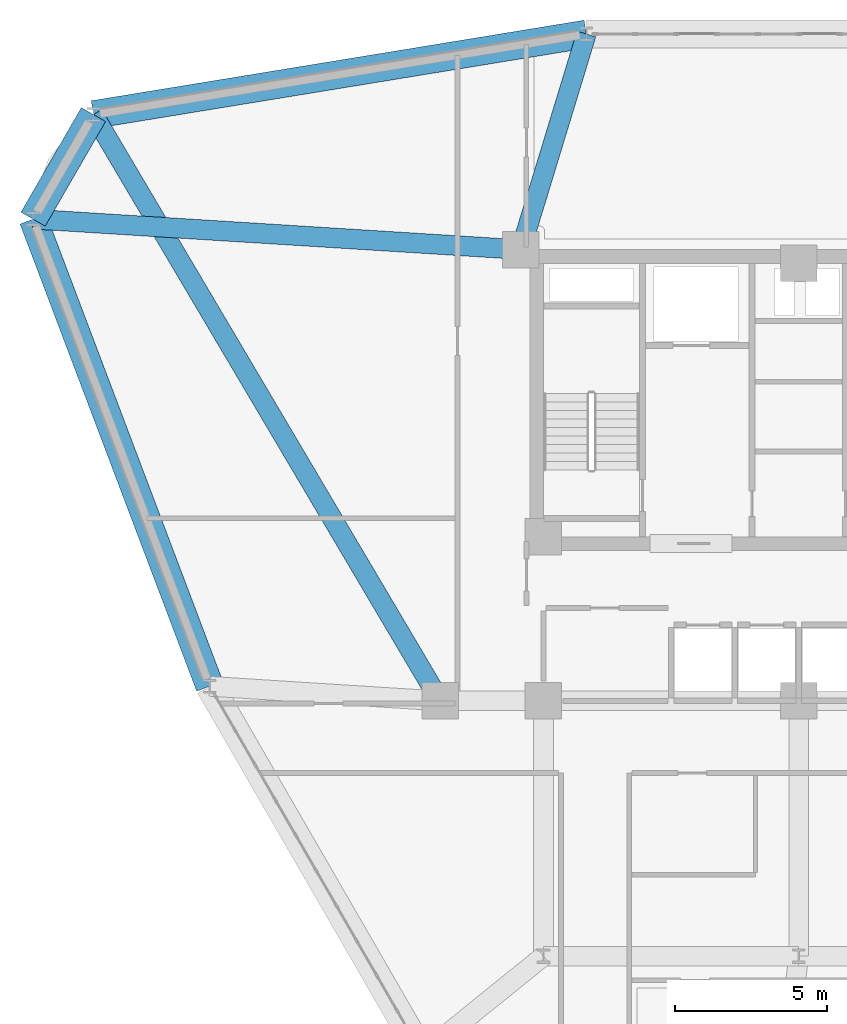
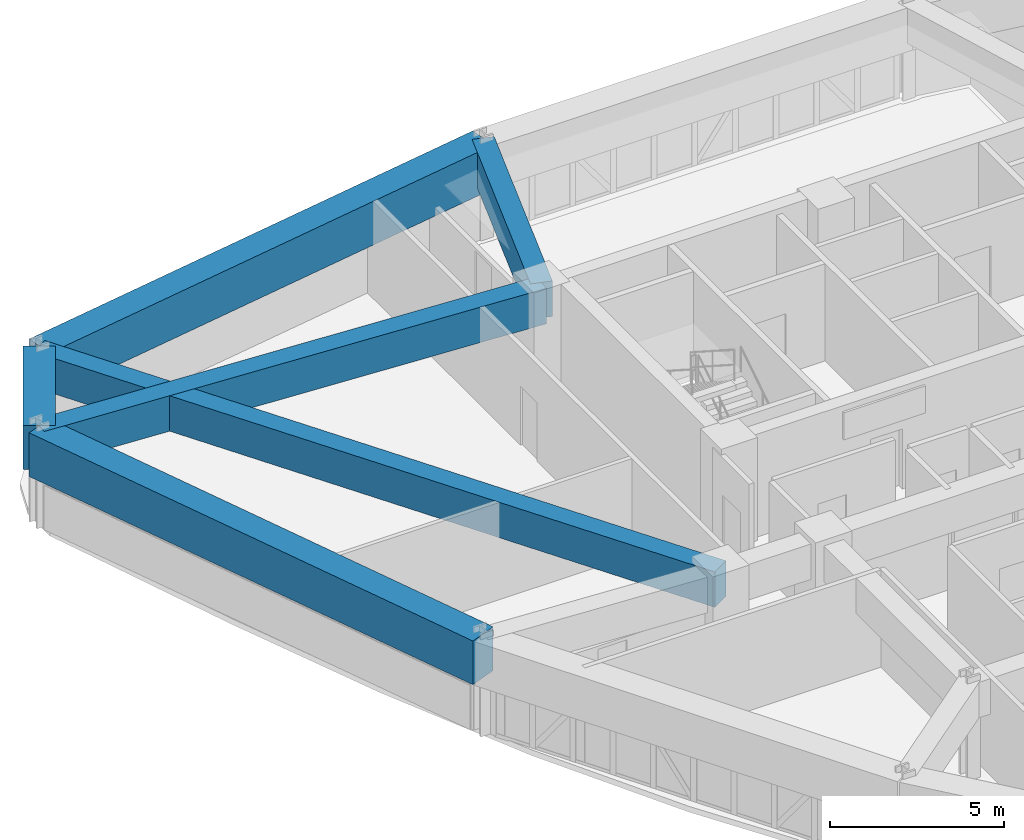
# One storey, part 7 of 15: 6 beams.
"""IFC4 building model written with IfcOpenShell, lengths in metres."""

from ifc_helpers import new_model, si_unit, derived_unit, direction, frame, origin, origin_2d, place, context, subcontext, project, spatial, rectangle, extrude, source, transform, mapped, material, material_profile, profile_set, type_object, element, save


model = new_model("IFC4")

# Units and contexts
model_context = context("Model", 3, precision=1e-05, world=origin(), true_north=direction((0.0, 1.0)))
body_context = subcontext(model_context, "Body", "Model", "MODEL_VIEW")
ifc_project = project(units=[si_unit("LENGTHUNIT", "METRE"), si_unit("AREAUNIT", "SQUARE_METRE"), si_unit("VOLUMEUNIT", "CUBIC_METRE"), si_unit("PLANEANGLEUNIT", "RADIAN"), si_unit("MASSUNIT", "GRAM", prefix="KILO"), derived_unit("THERMALTRANSMITTANCEUNIT", [(si_unit("POWERUNIT", "WATT"), 1), (si_unit("LENGTHUNIT", "METRE"), -2), (si_unit("THERMODYNAMICTEMPERATUREUNIT", "KELVIN"), -1)])], contexts=[model_context])

# Site, building, storey
site_placement = place(None, origin())
site = spatial("IfcSite", under=ifc_project, at=site_placement, CompositionType="ELEMENT")
building_placement = place(site_placement, origin())
building = spatial("IfcBuilding", under=site, at=building_placement, Name="Korsvarv Bourse and Concert Hall", CompositionType="ELEMENT")
storey_placement = place(building_placement, frame((0.0, 0.0, 113.39990234375)))
storey = spatial("IfcBuildingStorey", under=building, at=storey_placement, Name="L28", CompositionType="ELEMENT", Elevation=113.39990234375)

# Beams
ifc_material = material(Name="Concrete C50/60", Category="concrete")
ifc_material_profile_1 = material_profile(ifc_material, rectangle(XDim=0.919921875, YDim=1.530029296875, at=origin_2d()), Name="RC-BM 920x1530")
ifc_profile_set_1 = profile_set([ifc_material_profile_1], Name="Concrete C50/60")
beam_type_1 = type_object("IfcBeamType", Name="BM-TR-154", PredefinedType="BEAM", material=ifc_profile_set_1)
shared_shape_1 = source(origin(), body_context, "Body", "SweptSolid", [
    extrude(rectangle(XDim=0.919921875, YDim=1.530029296875, at=origin_2d()), origin(), (0.0, 0.0, 1.0), 3.974609375),
])
beam_1_placement = place(storey_placement, frame((12.79248046875, 51.693603515625, 2.635009765625), z_axis=(-0.499997169302, -0.866027038082, 0.0), x_axis=(0.866027038082, -0.499997169302, 0.0)))
element("IfcBeam", 1, at=beam_1_placement, inside=storey, type_object=beam_type_1, Name="L28 beam B-TR6", PredefinedType="BEAM", context=body_context, shape_type="MappedRepresentation", body=[
    mapped(shared_shape_1, transform((0.0, 0.0, 0.0), scale=1.0)),
])
shared_shape_2 = source(origin(), body_context, "Body", "SweptSolid", [
    extrude(rectangle(XDim=0.919921875, YDim=1.530029296875, at=origin_2d()), origin(), (0.0, 0.0, 1.0), 16.4345703125),
])
beam_2_placement = place(storey_placement, frame((29.011962890625, 54.344482421875, 2.635009765625), z_axis=(-0.986905771887, -0.161297853107, 0.0), x_axis=(0.161297853107, -0.986905771887, 0.0)))
element("IfcBeam", 2, at=beam_2_placement, inside=storey, type_object=beam_type_1, Name="L28 beam B-TR6", PredefinedType="BEAM", context=body_context, shape_type="MappedRepresentation", body=[
    mapped(shared_shape_2, transform((0.0, 0.0, 0.0), scale=1.0)),
])
shared_shape_3 = source(origin(), body_context, "Body", "SweptSolid", [
    extrude(rectangle(XDim=0.919921875, YDim=1.530029296875, at=origin_2d()), origin(), (0.0, 0.0, 1.0), 16.434814453125),
])
beam_3_placement = place(storey_placement, frame((10.80517578125, 48.25146484375, 2.635009765625), z_axis=(0.353759337672, -0.935336480102, 0.0), x_axis=(0.935336480102, 0.353759337672, 0.0)))
element("IfcBeam", 3, at=beam_3_placement, inside=storey, type_object=beam_type_1, Name="L28 beam B-TR6", PredefinedType="BEAM", context=body_context, shape_type="MappedRepresentation", body=[
    mapped(shared_shape_3, transform((0.0, 0.0, 0.0), scale=1.0)),
])
ifc_material_profile_2 = material_profile(ifc_material, rectangle(XDim=0.64990234375, YDim=1.239990234375, at=origin_2d()), Name="RC-BM 650x1240")
ifc_profile_set_2 = profile_set([ifc_material_profile_2], Name="Concrete C50/60")
beam_type_2 = type_object("IfcBeamType", Name="BM-TR-SPN", PredefinedType="BEAM", material=ifc_profile_set_2)
shared_shape_4 = source(origin(), body_context, "Body", "SweptSolid", [
    extrude(rectangle(XDim=0.64990234375, YDim=1.239990234375, at=origin_2d()), origin(), (0.0, 0.0, 1.0), 16.076171875),
])
beam_4_placement = place(storey_placement, frame((10.80517578125, 48.25146484375, 2.780029296875), z_axis=(0.998057775067, -0.062295085108, 0.0), x_axis=(0.062295085108, 0.998057775067, 0.0)))
element("IfcBeam", 4, at=beam_4_placement, inside=storey, type_object=beam_type_2, Name="L28 beam B-TRS", PredefinedType="BEAM", context=body_context, shape_type="MappedRepresentation", body=[
    mapped(shared_shape_4, transform((0.0, 0.0, 0.0), scale=1.0)),
])
shared_shape_5 = source(origin(), body_context, "Body", "SweptSolid", [
    extrude(rectangle(XDim=0.64990234375, YDim=1.239990234375, at=origin_2d()), origin(), (0.0, 0.0, 1.0), 22.413818359375),
])
beam_5_placement = place(storey_placement, frame((12.79248046875, 51.693603515625, 2.780029296875), z_axis=(0.508949112593, -0.860796608259, 0.0), x_axis=(0.860796608259, 0.508949112593, 0.0)))
element("IfcBeam", 5, at=beam_5_placement, inside=storey, type_object=beam_type_2, Name="L28 beam B-TRS", PredefinedType="BEAM", context=body_context, shape_type="MappedRepresentation", body=[
    mapped(shared_shape_5, transform((0.0, 0.0, 0.0), scale=1.0)),
])
shared_shape_6 = source(origin(), body_context, "Body", "SweptSolid", [
    extrude(rectangle(XDim=0.64990234375, YDim=1.239990234375, at=origin_2d()), origin(), (0.0, 0.0, 1.0), 7.41650390625),
])
beam_6_placement = place(storey_placement, frame((29.011962890625, 54.344482421875, 2.780029296875), z_axis=(-0.291491692849, -0.956573359968, 0.0), x_axis=(0.956573359968, -0.291491692849, 0.0)))
element("IfcBeam", 6, at=beam_6_placement, inside=storey, type_object=beam_type_2, Name="L28 beam B-TRS", PredefinedType="BEAM", context=body_context, shape_type="MappedRepresentation", body=[
    mapped(shared_shape_6, transform((0.0, 0.0, 0.0), scale=1.0)),
])

save(model, "model.ifc")
